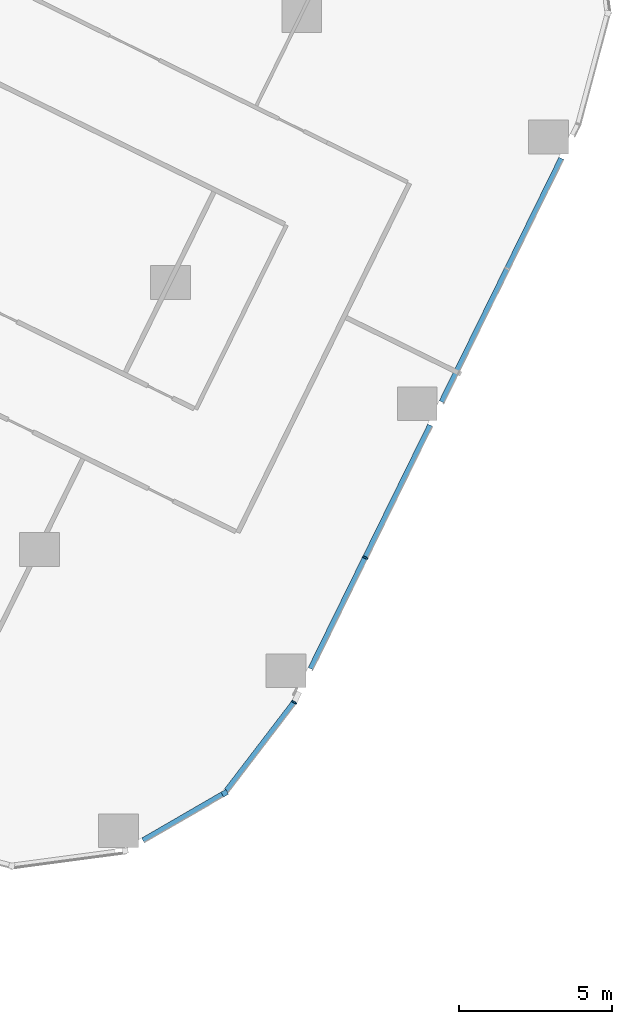
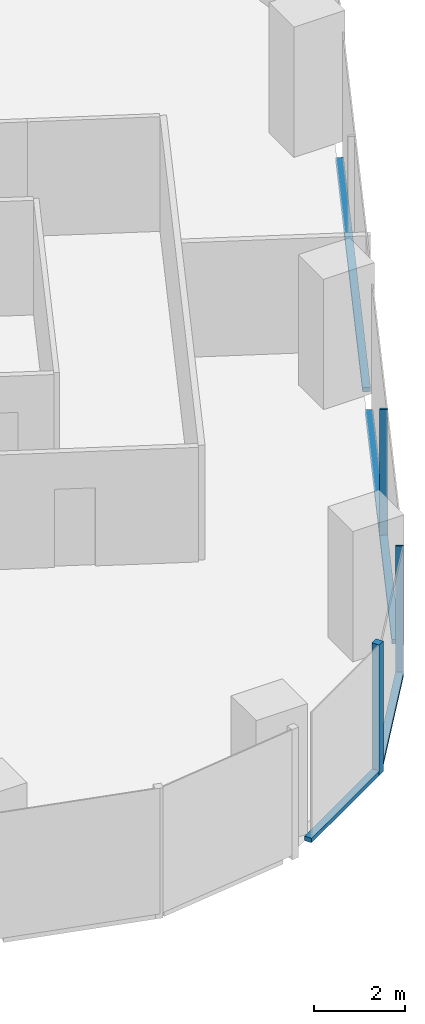
# One storey, part 10 of 38: 7 members, 3 elements without a shape of their own.
"""IFC4 building model written with IfcOpenShell, lengths in metres."""

from ifc_helpers import new_model, si_unit, direction, frame, origin, origin_2d, place, context, subcontext, project, spatial, rectangle, extrude, material, material_profile, profile_set, type_object, element, aggregate, save


model = new_model("IFC4")

# Units and contexts
model_context = context("Model", 3, precision=1e-05, world=origin(), true_north=direction((0.0, 1.0)))
body_context = subcontext(model_context, "Body", "Model", "MODEL_VIEW")
ifc_project = project(units=[si_unit("LENGTHUNIT", "METRE"), si_unit("AREAUNIT", "SQUARE_METRE"), si_unit("VOLUMEUNIT", "CUBIC_METRE"), si_unit("PLANEANGLEUNIT", "RADIAN"), si_unit("MASSUNIT", "GRAM", prefix="KILO")], contexts=[model_context])

# Site, building, storey
site_placement = place(None, origin())
site = spatial("IfcSite", under=ifc_project, at=site_placement, CompositionType="ELEMENT")
building_placement = place(site_placement, origin())
building = spatial("IfcBuilding", under=site, at=building_placement, Name="Orlundy Tower", CompositionType="ELEMENT")
storey_placement = place(building_placement, frame((0.0, 0.0, 62.300048828125)))
storey = spatial("IfcBuildingStorey", under=building, at=storey_placement, Name="L14", CompositionType="ELEMENT", Elevation=62.300048828125)

# Curtain wall, member
ifc_material_1 = material(Name="Aluminium bronze anodised", Category="aluminium")
curtain_wall_type = type_object("IfcCurtainWallType", Name="CW1 wall", PredefinedType="NOTDEFINED", material=ifc_material_1)
curtain_wall_1_placement = place(storey_placement, origin())
curtain_wall_1 = element("IfcCurtainWall", 1, at=curtain_wall_1_placement, inside=storey, type_object=curtain_wall_type, Name="CW1 run 025", PredefinedType="NOTDEFINED")
ifc_material_2 = material(Name="Aluminium bronze anodised", Category="aluminium")
ifc_material_profile_1 = material_profile(ifc_material_2, rectangle(XDim=0.179931640625, YDim=0.179931640625, at=origin_2d()), Name="CW1 corner post 180x180")
ifc_profile_set_1 = profile_set([ifc_material_profile_1], Name="Aluminium bronze anodised")
member_type_1 = type_object("IfcMemberType", Name="CW1 corner post 180x180", PredefinedType="MULLION", material=ifc_profile_set_1)
member_1_placement = place(storey_placement, frame((47.4775390625, -39.115966796875, -0.400146484375), z_axis=(0.0, 0.0, 1.0), x_axis=(0.501302135928, -0.865272308879, 0.0)))
member_1 = element("IfcMember", 2, at=member_1_placement, type_object=member_type_1, Name="CW1 mullion 66", PredefinedType="MULLION", context=body_context, shape_type="SweptSolid", body=[
    extrude(rectangle(XDim=0.179931640625, YDim=0.179931640625, at=origin_2d()), origin(), (0.0, 0.0, 1.0), 3.5),
])

curtain_wall_2_placement = place(storey_placement, origin())
curtain_wall_2 = element("IfcCurtainWall", 3, at=curtain_wall_2_placement, inside=storey, type_object=curtain_wall_type, Name="CW1 run 023", PredefinedType="NOTDEFINED")
ifc_material_3 = material(Name="Aluminium bronze anodised", Category="aluminium")
ifc_material_profile_2 = material_profile(ifc_material_3, rectangle(XDim=0.179931640625, YDim=0.050048828125, at=origin_2d()), Name="CW1 mullion 50x180")
ifc_profile_set_2 = profile_set([ifc_material_profile_2], Name="Aluminium bronze anodised")
member_type_2 = type_object("IfcMemberType", Name="CW1 mullion 50x180", PredefinedType="MULLION", material=ifc_profile_set_2)
member_2_placement = place(storey_placement, frame((52.06494140625, -31.430908203125, -0.400146484375), z_axis=(0.0, 0.0, 1.0), x_axis=(0.897501090883, -0.441012235503, 0.0)))
member_2 = element("IfcMember", 4, at=member_2_placement, type_object=member_type_2, Name="CW1 mullion 64", PredefinedType="MULLION", context=body_context, shape_type="SweptSolid", body=[
    extrude(rectangle(XDim=0.179931640625, YDim=0.050048828125, at=origin_2d()), origin(), (0.0, 0.0, 1.0), 3.5),
])

curtain_wall_3_placement = place(storey_placement, origin())
curtain_wall_3 = element("IfcCurtainWall", 5, at=curtain_wall_3_placement, inside=storey, type_object=curtain_wall_type, Name="CW1 run 024", PredefinedType="NOTDEFINED")
member_3_placement = place(storey_placement, frame((49.745849609375, -36.150634765625, -0.400146484375), z_axis=(0.0, 0.0, 1.0), x_axis=(0.849973121822, -0.526826054955, 0.0)))
member_3 = element("IfcMember", 6, at=member_3_placement, type_object=member_type_2, Name="CW1 mullion 65", PredefinedType="MULLION", context=body_context, shape_type="SweptSolid", body=[
    extrude(rectangle(XDim=0.179931640625, YDim=0.050048828125, at=origin_2d()), origin(), (0.0, 0.0, 1.0), 3.5),
])

# Member
ifc_material_4 = material(Name="Aluminium bronze anodised", Category="aluminium")
ifc_material_profile_3 = material_profile(ifc_material_4, rectangle(XDim=0.179931640625, YDim=0.1201171875, at=origin_2d()), Name="CW1 transom 180x120")
ifc_profile_set_3 = profile_set([ifc_material_profile_3], Name="Aluminium bronze anodised")
member_type_3 = type_object("IfcMemberType", Name="CW1 transom 180x120", PredefinedType="USERDEFINED", material=ifc_profile_set_3)
member_4_placement = place(storey_placement, frame((58.463623046875, -18.408935546875, -0.340087890625), z_axis=(-0.441000966712, -0.897506628031, 0.0), x_axis=(0.897506628031, -0.441000966712, 0.0)))
member_4 = element("IfcMember", 7, at=member_4_placement, type_object=member_type_3, Name="CW1 transom", ObjectType="TRANSOM", PredefinedType="USERDEFINED", context=body_context, shape_type="SweptSolid", body=[
    extrude(rectangle(XDim=0.179931640625, YDim=0.1201171875, at=origin_2d()), origin(), (0.0, 0.0, 1.0), 8.849365234375),
])

member_5_placement = place(storey_placement, frame((54.185791015625, -27.114990234375, -0.340087890625), z_axis=(-0.441021658791, -0.897496460426, 0.0), x_axis=(0.897496460426, -0.441021658791, 0.0)))
member_5 = element("IfcMember", 8, at=member_5_placement, type_object=member_type_3, Name="CW1 transom", ObjectType="TRANSOM", PredefinedType="USERDEFINED", context=body_context, shape_type="SweptSolid", body=[
    extrude(rectangle(XDim=0.179931640625, YDim=0.1201171875, at=origin_2d()), origin(), (0.0, 0.0, 1.0), 8.847412109375),
])

aggregate(curtain_wall_2, [member_2, member_4, member_5])

member_6_placement = place(storey_placement, frame((49.730712890625, -36.170654296875, -0.340087890625), z_axis=(-0.607578093597, -0.794259944968, 0.0), x_axis=(0.794259944968, -0.607578093597, 0.0)))
member_6 = element("IfcMember", 9, at=member_6_placement, type_object=member_type_3, Name="CW1 transom", ObjectType="TRANSOM", PredefinedType="USERDEFINED", context=body_context, shape_type="SweptSolid", body=[
    extrude(rectangle(XDim=0.179931640625, YDim=0.1201171875, at=origin_2d()), origin(), (0.0, 0.0, 1.0), 3.61083984375),
])

aggregate(curtain_wall_3, [member_3, member_6])

member_7_placement = place(storey_placement, frame((47.399658203125, -39.1611328125, -0.340087890625), z_axis=(-0.865284440007, -0.501281196417, 0.0), x_axis=(0.501281196417, -0.865284440007, 0.0)))
member_7 = element("IfcMember", 10, at=member_7_placement, type_object=member_type_3, Name="CW1 transom", ObjectType="TRANSOM", PredefinedType="USERDEFINED", context=body_context, shape_type="SweptSolid", body=[
    extrude(rectangle(XDim=0.179931640625, YDim=0.1201171875, at=origin_2d()), origin(), (0.0, 0.0, 1.0), 2.986083984375),
])

aggregate(curtain_wall_1, [member_1, member_7])

save(model, "model.ifc")
